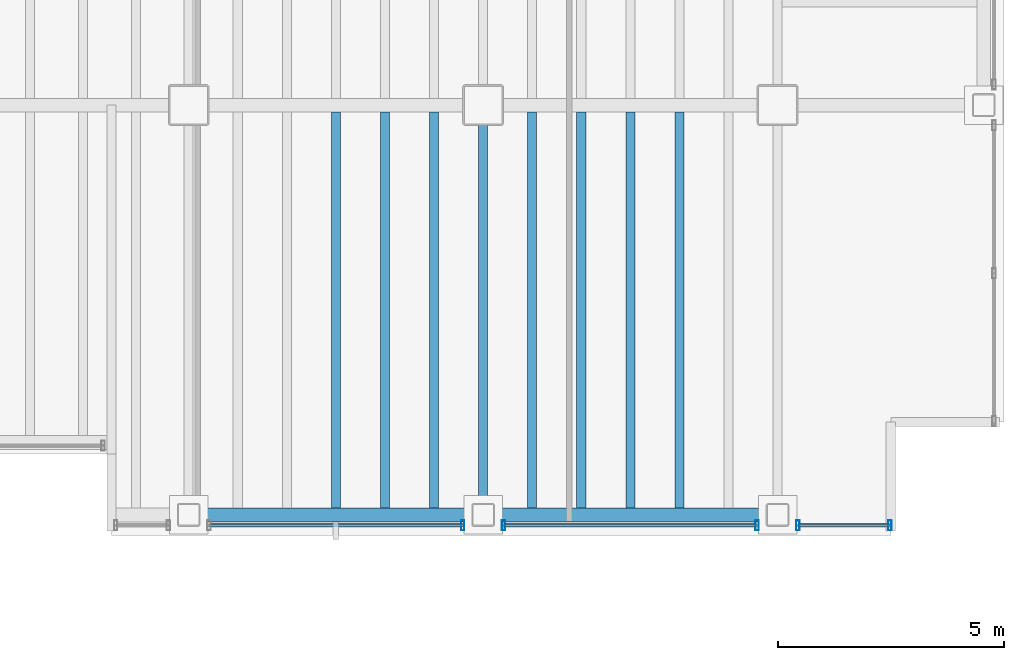
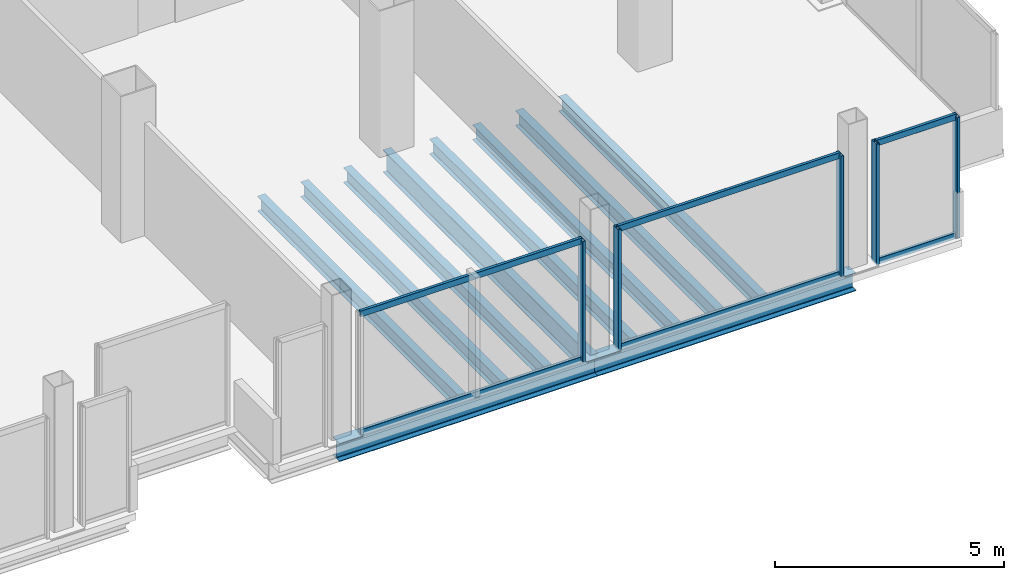
# One storey, part 12 of 20: 11 members, 10 beams, 3 elements without a shape of their own.
"""IFC4 building model written with IfcOpenShell, lengths in metres."""

from ifc_helpers import new_model, si_unit, direction, frame, origin, origin_2d, place, context, subcontext, project, spatial, hollow_rectangle, i_section, extrude, material, material_profile, profile_set, type_object, element, aggregate, save


model = new_model("IFC4")

# Units and contexts
model_context = context("Model", 3, precision=1e-05, world=origin(), true_north=direction((0.0, 1.0)))
body_context = subcontext(model_context, "Body", "Model", "MODEL_VIEW")
ifc_project = project(units=[si_unit("LENGTHUNIT", "METRE"), si_unit("AREAUNIT", "SQUARE_METRE"), si_unit("VOLUMEUNIT", "CUBIC_METRE"), si_unit("PLANEANGLEUNIT", "RADIAN"), si_unit("MASSUNIT", "GRAM", prefix="KILO")], contexts=[model_context])

# Site, building, storey
site_placement = place(None, origin())
site = spatial("IfcSite", under=ifc_project, at=site_placement, CompositionType="ELEMENT")
building_placement = place(site_placement, origin())
building = spatial("IfcBuilding", under=site, at=building_placement, Name="Noeulbin Bourse Tower", CompositionType="ELEMENT")
storey_placement = place(building_placement, frame((0.0, 0.0, 118.800048828125)))
storey = spatial("IfcBuildingStorey", under=building, at=storey_placement, Name="L29", CompositionType="ELEMENT", Elevation=118.800048828125)

# Beams
ifc_material_1 = material(Name="Steel S355", Category="steel")
ifc_material_profile_1 = material_profile(ifc_material_1, i_section(OverallWidth=0.199951171875, OverallDepth=0.60009765625, WebThickness=0.010986328125, FlangeThickness=0.01708984375, FilletRadius=0.02197265625, at=origin_2d()), Name="H-600x200x11x17", Category="LoadBearing")
ifc_profile_set_1 = profile_set([ifc_material_profile_1], Name="Steel S355")
beam_type_1 = type_object("IfcBeamType", Name="BM-GRD-600", PredefinedType="USERDEFINED", material=ifc_profile_set_1)
beam_placement = place(storey_placement, frame((37.5, 10.949951171875, -0.47998046875), z_axis=(0.0, 1.0, 0.0), x_axis=(-1.0, 0.0, 0.0)))
element("IfcBeam", 1, at=beam_placement, inside=storey, type_object=beam_type_1, Name="Tower Primary Girder NS L29-4.1", ObjectType="GIRDER", PredefinedType="USERDEFINED", context=body_context, shape_type="SweptSolid", body=[
    extrude(i_section(OverallWidth=0.199951171875, OverallDepth=0.60009765625, WebThickness=0.010986328125, FlangeThickness=0.01708984375, FilletRadius=0.02197265625, at=origin_2d()), origin(), (0.0, 0.0, 1.0), 9.050048828125),
])
ifc_material_profile_2 = material_profile(ifc_material_1, i_section(OverallWidth=0.199951171875, OverallDepth=0.39990234375, WebThickness=0.008056640625, FlangeThickness=0.012939453125, FilletRadius=0.01611328125, at=origin_2d()), Name="H-400x200x8x13", Category="LoadBearing")
ifc_profile_set_2 = profile_set([ifc_material_profile_2], Name="Steel S355")
beam_type_2 = type_object("IfcBeamType", Name="BM-SEC-400", PredefinedType="BEAM", material=ifc_profile_set_2)
for number, where, z_axis, x_axis, name in (
    (2, (34.25, 11.10009765625, -0.380126953125), (0.0, 1.0, 0.0), (-1.0, 0.0, 0.0), "Tower Composite Joist L29-31"),
    (3, (35.333251953125, 11.10009765625, -0.380126953125), (0.0, 1.0, 0.0), (-1.0, 0.0, 0.0), "Tower Composite Joist L29-33"),
    (4, (36.416748046875, 11.10009765625, -0.380126953125), (0.0, 1.0, 0.0), (-1.0, 0.0, 0.0), "Tower Composite Joist L29-35"),
    (5, (38.583251953125, 11.10009765625, -0.380126953125), (0.0, 1.0, 0.0), (-1.0, 0.0, 0.0), "Tower Composite Joist L29-37"),
    (6, (39.666748046875, 11.10009765625, -0.380126953125), (0.0, 1.0, 0.0), (-1.0, 0.0, 0.0), "Tower Composite Joist L29-39"),
    (7, (40.75, 11.10009765625, -0.380126953125), (0.0, 1.0, 0.0), (-1.0, 0.0, 0.0), "Tower Composite Joist L29-41"),
    (8, (41.833251953125, 11.10009765625, -0.380126953125), (0.0, 1.0, 0.0), (-1.0, 0.0, 0.0), "Tower Composite Joist L29-43"),
):
    element("IfcBeam", number, at=place(storey_placement, frame(where, z_axis=z_axis, x_axis=x_axis)), inside=storey, type_object=beam_type_2, Name=name, PredefinedType="BEAM", context=body_context, shape_type="SweptSolid", body=[
        extrude(i_section(OverallWidth=0.199951171875, OverallDepth=0.39990234375, WebThickness=0.008056640625, FlangeThickness=0.012939453125, FilletRadius=0.01611328125, at=origin_2d()), origin(), (0.0, 0.0, 1.0), 8.75),
    ])
ifc_material_profile_3 = material_profile(ifc_material_1, i_section(OverallWidth=0.300048828125, OverallDepth=0.488037109375, WebThickness=0.010986328125, FlangeThickness=0.01806640625, FilletRadius=0.02197265625, at=origin_2d()), Name="H-488x300x11x18", Category="LoadBearing")
ifc_profile_set_3 = profile_set([ifc_material_profile_3], Name="Steel S355")
beam_type_3 = type_object("IfcBeamType", Name="BM-SPN-488", PredefinedType="SPANDREL", material=ifc_profile_set_3)
for number, where, z_axis, x_axis, name in (
    (9, (31.0, 10.949951171875, -0.424072265625), (1.0, 0.0, 0.0), (0.0, 1.0, 0.0), "South Spandrel L29-3"),
    (10, (37.5, 10.949951171875, -0.424072265625), (1.0, 0.0, 0.0), (0.0, 1.0, 0.0), "South Spandrel L29-4"),
):
    element("IfcBeam", number, at=place(storey_placement, frame(where, z_axis=z_axis, x_axis=x_axis)), inside=storey, type_object=beam_type_3, Name=name, PredefinedType="SPANDREL", context=body_context, shape_type="SweptSolid", body=[
        extrude(i_section(OverallWidth=0.300048828125, OverallDepth=0.488037109375, WebThickness=0.010986328125, FlangeThickness=0.01806640625, FilletRadius=0.02197265625, at=origin_2d()), origin(), (0.0, 0.0, 1.0), 6.5),
    ])

# Curtain wall, member
ifc_material_2 = material(Name="Dark Tinted Triple Glazing", Category="glass")
curtain_wall_type = type_object("IfcCurtainWallType", Name="CW-SYS-3", PredefinedType="NOTDEFINED", material=ifc_material_2)
curtain_wall_1_placement = place(storey_placement, origin())
curtain_wall_1 = element("IfcCurtainWall", 11, at=curtain_wall_1_placement, inside=storey, type_object=curtain_wall_type, Name="Unitised Curtain Wall CW-L29-S3-S2", PredefinedType="NOTDEFINED")
ifc_material_3 = material(Name="Anodised Aluminium 6063-T6", Category="aluminium")
ifc_material_profile_4 = material_profile(ifc_material_3, hollow_rectangle(XDim=0.074951171875, YDim=0.219970703125, WallThickness=0.0048828125, InnerFilletRadius=0.00244140625, OuterFilletRadius=0.0048828125, at=origin_2d()), Name="ALU-MULL-75x220x5", Category="LoadBearing")
ifc_profile_set_4 = profile_set([ifc_material_profile_4], Name="Anodised Aluminium 6063-T6")
member_type_1 = type_object("IfcMemberType", Name="CW-SYS-3-MUL", PredefinedType="MULLION", material=ifc_profile_set_4)
member_1_placement = place(storey_placement, frame((37.050048828125, 10.719970703125, -0.02001953125), z_axis=(0.0, 0.0, 1.0), x_axis=(1.0, 0.0, 0.0)))
member_1 = element("IfcMember", 12, at=member_1_placement, type_object=member_type_1, Name="Curtain Wall Mullion CW-L29-S3-S2-M01", PredefinedType="MULLION", context=body_context, shape_type="SweptSolid", body=[
    extrude(hollow_rectangle(XDim=0.074951171875, YDim=0.219970703125, WallThickness=0.0048828125, InnerFilletRadius=0.00244140625, OuterFilletRadius=0.0048828125, at=origin_2d()), origin(), (0.0, 0.0, 1.0), 3.219970703125),
])

# Curtain wall, members
curtain_wall_2_placement = place(storey_placement, origin())
curtain_wall_2 = element("IfcCurtainWall", 13, at=curtain_wall_2_placement, inside=storey, type_object=curtain_wall_type, Name="Unitised Curtain Wall CW-L29-S3-S3", PredefinedType="NOTDEFINED")
member_2_placement = place(storey_placement, frame((37.949951171875, 10.719970703125, -0.02001953125), z_axis=(0.0, 0.0, 1.0), x_axis=(1.0, 0.0, 0.0)))
member_2 = element("IfcMember", 14, at=member_2_placement, type_object=member_type_1, Name="Curtain Wall Mullion CW-L29-S3-S3-M00", PredefinedType="MULLION", context=body_context, shape_type="SweptSolid", body=[
    extrude(hollow_rectangle(XDim=0.074951171875, YDim=0.219970703125, WallThickness=0.0048828125, InnerFilletRadius=0.00244140625, OuterFilletRadius=0.0048828125, at=origin_2d()), origin(), (0.0, 0.0, 1.0), 3.219970703125),
])
member_3_placement = place(storey_placement, frame((43.550048828125, 10.719970703125, -0.02001953125), z_axis=(0.0, 0.0, 1.0), x_axis=(1.0, 0.0, 0.0)))
member_3 = element("IfcMember", 15, at=member_3_placement, type_object=member_type_1, Name="Curtain Wall Mullion CW-L29-S3-S3-M01", PredefinedType="MULLION", context=body_context, shape_type="SweptSolid", body=[
    extrude(hollow_rectangle(XDim=0.074951171875, YDim=0.219970703125, WallThickness=0.0048828125, InnerFilletRadius=0.00244140625, OuterFilletRadius=0.0048828125, at=origin_2d()), origin(), (0.0, 0.0, 1.0), 3.219970703125),
])

curtain_wall_3_placement = place(storey_placement, origin())
curtain_wall_3 = element("IfcCurtainWall", 16, at=curtain_wall_3_placement, inside=storey, type_object=curtain_wall_type, Name="Unitised Curtain Wall CW-L29-S3-S4", PredefinedType="NOTDEFINED")
member_4_placement = place(storey_placement, frame((44.449951171875, 10.719970703125, -0.02001953125), z_axis=(0.0, 0.0, 1.0), x_axis=(1.0, 0.0, 0.0)))
member_4 = element("IfcMember", 17, at=member_4_placement, type_object=member_type_1, Name="Curtain Wall Mullion CW-L29-S3-S4-M00", PredefinedType="MULLION", context=body_context, shape_type="SweptSolid", body=[
    extrude(hollow_rectangle(XDim=0.074951171875, YDim=0.219970703125, WallThickness=0.0048828125, InnerFilletRadius=0.00244140625, OuterFilletRadius=0.0048828125, at=origin_2d()), origin(), (0.0, 0.0, 1.0), 3.219970703125),
])
member_5_placement = place(storey_placement, frame((46.47998046875, 10.719970703125, -0.02001953125), z_axis=(0.0, 0.0, 1.0), x_axis=(1.0, 0.0, 0.0)))
member_5 = element("IfcMember", 18, at=member_5_placement, type_object=member_type_1, Name="Curtain Wall Mullion CW-L29-S3-S4-M01", PredefinedType="MULLION", context=body_context, shape_type="SweptSolid", body=[
    extrude(hollow_rectangle(XDim=0.074951171875, YDim=0.219970703125, WallThickness=0.0048828125, InnerFilletRadius=0.00244140625, OuterFilletRadius=0.0048828125, at=origin_2d()), origin(), (0.0, 0.0, 1.0), 3.219970703125),
])

# Member
ifc_material_profile_5 = material_profile(ifc_material_3, hollow_rectangle(XDim=0.074951171875, YDim=0.159912109375, WallThickness=0.0048828125, InnerFilletRadius=0.00244140625, OuterFilletRadius=0.0048828125, at=origin_2d()), Name="ALU-TRAN-75x160x5", Category="LoadBearing")
ifc_profile_set_5 = profile_set([ifc_material_profile_5], Name="Anodised Aluminium 6063-T6")
member_type_2 = type_object("IfcMemberType", Name="CW-SYS-3-TRN", PredefinedType="USERDEFINED", material=ifc_profile_set_5)
member_6_placement = place(storey_placement, frame((31.4599609375, 10.719970703125, 0.010009765625), z_axis=(1.0, 0.0, 0.0), x_axis=(0.0, 1.0, 0.0)))
member_6 = element("IfcMember", 19, at=member_6_placement, type_object=member_type_2, Name="Curtain Wall Transom CW-L29-S3-S2-T00", ObjectType="TRANSOM", PredefinedType="USERDEFINED", context=body_context, shape_type="SweptSolid", body=[
    extrude(hollow_rectangle(XDim=0.074951171875, YDim=0.159912109375, WallThickness=0.0048828125, InnerFilletRadius=0.00244140625, OuterFilletRadius=0.0048828125, at=origin_2d()), origin(), (0.0, 0.0, 1.0), 5.580078125),
])

member_7_placement = place(storey_placement, frame((31.4599609375, 10.719970703125, 3.169921875), z_axis=(1.0, 0.0, 0.0), x_axis=(0.0, 1.0, 0.0)))
member_7 = element("IfcMember", 20, at=member_7_placement, type_object=member_type_2, Name="Curtain Wall Transom CW-L29-S3-S2-T01", ObjectType="TRANSOM", PredefinedType="USERDEFINED", context=body_context, shape_type="SweptSolid", body=[
    extrude(hollow_rectangle(XDim=0.074951171875, YDim=0.159912109375, WallThickness=0.0048828125, InnerFilletRadius=0.00244140625, OuterFilletRadius=0.0048828125, at=origin_2d()), origin(), (0.0, 0.0, 1.0), 5.580078125),
])

aggregate(curtain_wall_1, [member_1, member_6, member_7])

member_8_placement = place(storey_placement, frame((37.9599609375, 10.719970703125, 0.010009765625), z_axis=(1.0, 0.0, 0.0), x_axis=(0.0, 1.0, 0.0)))
member_8 = element("IfcMember", 21, at=member_8_placement, type_object=member_type_2, Name="Curtain Wall Transom CW-L29-S3-S3-T00", ObjectType="TRANSOM", PredefinedType="USERDEFINED", context=body_context, shape_type="SweptSolid", body=[
    extrude(hollow_rectangle(XDim=0.074951171875, YDim=0.159912109375, WallThickness=0.0048828125, InnerFilletRadius=0.00244140625, OuterFilletRadius=0.0048828125, at=origin_2d()), origin(), (0.0, 0.0, 1.0), 5.580078125),
])

member_9_placement = place(storey_placement, frame((37.9599609375, 10.719970703125, 3.169921875), z_axis=(1.0, 0.0, 0.0), x_axis=(0.0, 1.0, 0.0)))
member_9 = element("IfcMember", 22, at=member_9_placement, type_object=member_type_2, Name="Curtain Wall Transom CW-L29-S3-S3-T01", ObjectType="TRANSOM", PredefinedType="USERDEFINED", context=body_context, shape_type="SweptSolid", body=[
    extrude(hollow_rectangle(XDim=0.074951171875, YDim=0.159912109375, WallThickness=0.0048828125, InnerFilletRadius=0.00244140625, OuterFilletRadius=0.0048828125, at=origin_2d()), origin(), (0.0, 0.0, 1.0), 5.580078125),
])

aggregate(curtain_wall_2, [member_2, member_3, member_8, member_9])

member_10_placement = place(storey_placement, frame((44.4599609375, 10.719970703125, 0.010009765625), z_axis=(1.0, 0.0, 0.0), x_axis=(0.0, 1.0, 0.0)))
member_10 = element("IfcMember", 23, at=member_10_placement, type_object=member_type_2, Name="Curtain Wall Transom CW-L29-S3-S4-T00", ObjectType="TRANSOM", PredefinedType="USERDEFINED", context=body_context, shape_type="SweptSolid", body=[
    extrude(hollow_rectangle(XDim=0.074951171875, YDim=0.159912109375, WallThickness=0.0048828125, InnerFilletRadius=0.00244140625, OuterFilletRadius=0.0048828125, at=origin_2d()), origin(), (0.0, 0.0, 1.0), 2.010009765625),
])

member_11_placement = place(storey_placement, frame((44.4599609375, 10.719970703125, 3.169921875), z_axis=(1.0, 0.0, 0.0), x_axis=(0.0, 1.0, 0.0)))
member_11 = element("IfcMember", 24, at=member_11_placement, type_object=member_type_2, Name="Curtain Wall Transom CW-L29-S3-S4-T01", ObjectType="TRANSOM", PredefinedType="USERDEFINED", context=body_context, shape_type="SweptSolid", body=[
    extrude(hollow_rectangle(XDim=0.074951171875, YDim=0.159912109375, WallThickness=0.0048828125, InnerFilletRadius=0.00244140625, OuterFilletRadius=0.0048828125, at=origin_2d()), origin(), (0.0, 0.0, 1.0), 2.010009765625),
])

aggregate(curtain_wall_3, [member_4, member_5, member_10, member_11])

save(model, "model.ifc")
